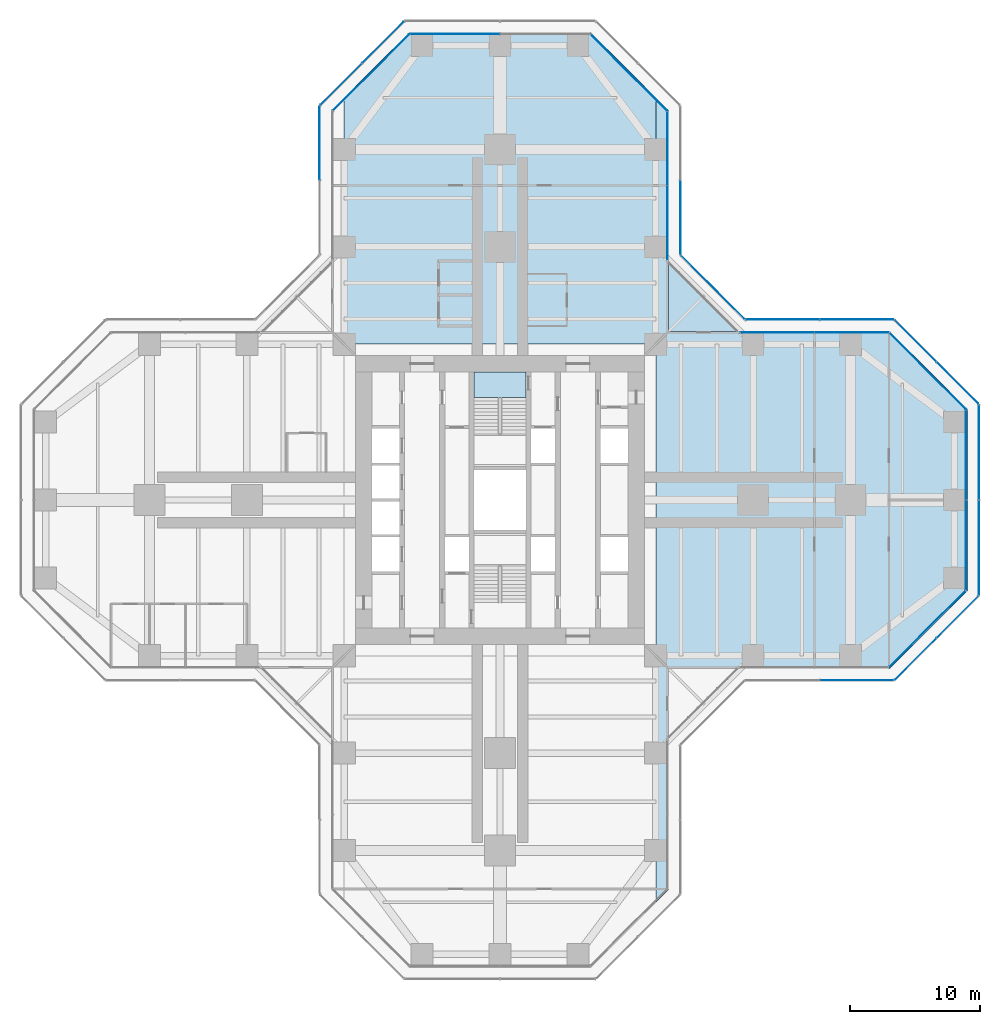
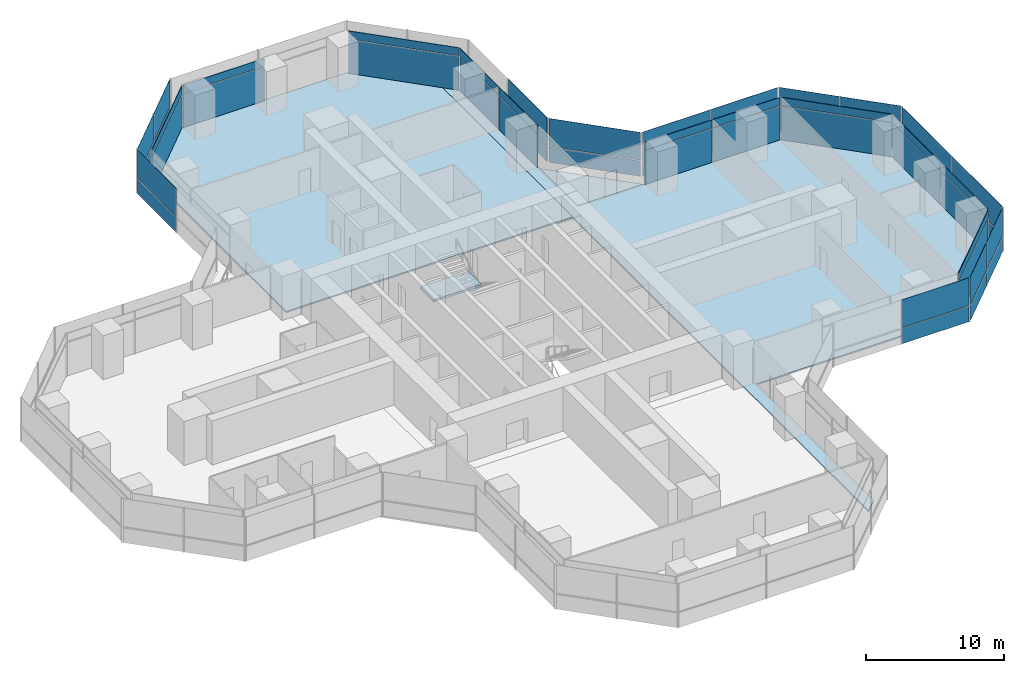
# One storey, part 16 of 22: 50 plates, 4 slabs, 18 elements without a shape of their own.
"""IFC4 building model written with IfcOpenShell, lengths in metres."""

from ifc_helpers import new_model, si_unit, direction, frame, origin, origin_2d, place, context, subcontext, project, spatial, polyline, rectangle, outline, extrude, material, layer, layer_set, type_object, element, aggregate, save


model = new_model("IFC4")

# Units and contexts
model_context = context("Model", 3, precision=1e-05, world=origin(), true_north=direction((0.0, 1.0)))
body_context = subcontext(model_context, "Body", "Model", "MODEL_VIEW")
ifc_project = project(units=[si_unit("LENGTHUNIT", "METRE"), si_unit("AREAUNIT", "SQUARE_METRE"), si_unit("VOLUMEUNIT", "CUBIC_METRE"), si_unit("PLANEANGLEUNIT", "RADIAN"), si_unit("MASSUNIT", "GRAM", prefix="KILO")], contexts=[model_context])

# Site, building, storey
site_placement = place(None, origin())
site = spatial("IfcSite", under=ifc_project, at=site_placement, CompositionType="ELEMENT")
building_placement = place(site_placement, origin())
building = spatial("IfcBuilding", under=site, at=building_placement, Name="Mizan Broadcast Tower", CompositionType="ELEMENT")
storey_placement = place(building_placement, frame((0.0, 0.0, 66.89990234375)))
storey = spatial("IfcBuildingStorey", under=building, at=storey_placement, Name="L13", CompositionType="ELEMENT", Elevation=66.89990234375)

# Slabs
ifc_material_1 = material(Name="Concrete C32/40", Category="concrete")
ifc_layer_1 = layer(ifc_material_1, 0.1298828125)
ifc_layer_set_1 = layer_set([ifc_layer_1], Name="Concrete C32/40")
slab_type_1 = type_object("IfcSlabType", Name="COMPOSITE DECK SLAB 130", PredefinedType="FLOOR", material=ifc_layer_set_1)
slab_1_placement = place(storey_placement, frame((0.0, 0.0, -0.1298828125)))
element("IfcSlab", 1, at=slab_1_placement, inside=storey, type_object=slab_type_1, Name="Floor slab L13 east arm", PredefinedType="FLOOR", context=body_context, shape_type="SweptSolid", body=[
    extrude(outline(polyline([(12.0, -31.0), (13.0, -30.0), (13.0, -13.0), (30.0, -13.0), (36.0, -7.0), (36.0, 7.0), (30.0, 13.0), (13.0, 13.0), (13.0, 30.0), (12.0, 31.0), (12.0, -31.0)])), origin(), (0.0, 0.0, 1.0), 0.1298828125),
])
slab_2_placement = place(storey_placement, frame((0.0, 0.0, -0.1298828125)))
element("IfcSlab", 2, at=slab_2_placement, inside=storey, type_object=slab_type_1, Name="Floor slab L13 north arm", PredefinedType="FLOOR", context=body_context, shape_type="SweptSolid", body=[
    extrude(outline(polyline([(-7.0, 36.0), (-12.0, 31.0), (-12.0, 12.0), (12.0, 12.0), (12.0, 31.0), (7.0, 36.0), (-7.0, 36.0)])), origin(), (0.0, 0.0, 1.0), 0.1298828125),
])

# Curtain wall, plate
ifc_material_2 = material(Name="Aluminium framed glazing", Category="aluminium")
curtain_wall_type_1 = type_object("IfcCurtainWallType", Name="INNER SKIN LOW ZONE", PredefinedType="USERDEFINED", material=ifc_material_2)
curtain_wall_1_placement = place(storey_placement, origin())
curtain_wall_1 = element("IfcCurtainWall", 3, at=curtain_wall_1_placement, inside=storey, type_object=curtain_wall_type_1, Name="Inner skin low zone L13 E chamfer", ObjectType="INNER SKIN LOW ZONE", PredefinedType="USERDEFINED")
ifc_material_3 = material(Name="Double glazing, clear low-e", Category="glass")
ifc_layer_2 = layer(ifc_material_3, 0.028076171875)
ifc_layer_set_2 = layer_set([ifc_layer_2], Name="Double glazing, clear low-e")
plate_type_1 = type_object("IfcPlateType", Name="INNER SKIN GLAZING UNIT", PredefinedType="CURTAIN_PANEL", material=ifc_layer_set_2)
plate_1_placement = place(storey_placement, frame((32.92919921875, -9.92919921875, 0.0), z_axis=(0.0, 0.0, 1.0), x_axis=(0.707106781187, 0.707106781187, 0.0)))
plate_1 = element("IfcPlate", 4, at=plate_1_placement, type_object=plate_type_1, Name="Inner skin low zone L13 E chamfer panel 1.1", PredefinedType="CURTAIN_PANEL", context=body_context, shape_type="SweptSolid", body=[
    extrude(rectangle(XDim=8.282470703125, YDim=0.028076171875, at=origin_2d()), origin(), (0.0, 0.0, 1.0), 3.0),
])

# Curtain wall, plates
curtain_wall_2_placement = place(storey_placement, origin())
curtain_wall_2 = element("IfcCurtainWall", 5, at=curtain_wall_2_placement, inside=storey, type_object=curtain_wall_type_1, Name="Inner skin low zone L13 E end", ObjectType="INNER SKIN LOW ZONE", PredefinedType="USERDEFINED")
plate_2_placement = place(storey_placement, frame((35.89990234375, -3.46435546875, 0.0), z_axis=(0.0, 0.0, 1.0), x_axis=(0.0, 1.0, 0.0)))
plate_2 = element("IfcPlate", 6, at=plate_2_placement, type_object=plate_type_1, Name="Inner skin low zone L13 E end panel 1.1", PredefinedType="CURTAIN_PANEL", context=body_context, shape_type="SweptSolid", body=[
    extrude(rectangle(XDim=6.86865234375, YDim=0.028076171875, at=origin_2d()), origin(), (0.0, 0.0, 1.0), 3.0),
])
plate_3_placement = place(storey_placement, frame((35.89990234375, 3.46435546875, 0.0), z_axis=(0.0, 0.0, 1.0), x_axis=(0.0, 1.0, 0.0)))
plate_3 = element("IfcPlate", 7, at=plate_3_placement, type_object=plate_type_1, Name="Inner skin low zone L13 E end panel 2.1", PredefinedType="CURTAIN_PANEL", context=body_context, shape_type="SweptSolid", body=[
    extrude(rectangle(XDim=6.86865234375, YDim=0.028076171875, at=origin_2d()), origin(), (0.0, 0.0, 1.0), 3.0),
])

# Curtain wall, plate
curtain_wall_3_placement = place(storey_placement, origin())
curtain_wall_3 = element("IfcCurtainWall", 8, at=curtain_wall_3_placement, inside=storey, type_object=curtain_wall_type_1, Name="Inner skin low zone L13 E chamfer", ObjectType="INNER SKIN LOW ZONE", PredefinedType="USERDEFINED")
plate_4_placement = place(storey_placement, frame((32.92919921875, 9.92919921875, 0.0), z_axis=(0.0, 0.0, 1.0), x_axis=(-0.707106781187, 0.707106781187, 0.0)))
plate_4 = element("IfcPlate", 9, at=plate_4_placement, type_object=plate_type_1, Name="Inner skin low zone L13 E chamfer panel 1.1", PredefinedType="CURTAIN_PANEL", context=body_context, shape_type="SweptSolid", body=[
    extrude(rectangle(XDim=8.282470703125, YDim=0.028076171875, at=origin_2d()), origin(), (0.0, 0.0, 1.0), 3.0),
])

# Curtain wall, plates
curtain_wall_4_placement = place(storey_placement, origin())
curtain_wall_4 = element("IfcCurtainWall", 10, at=curtain_wall_4_placement, inside=storey, type_object=curtain_wall_type_1, Name="Inner skin low zone L13 E side", ObjectType="INNER SKIN LOW ZONE", PredefinedType="USERDEFINED")
plate_5_placement = place(storey_placement, frame((27.078857421875, 12.89990234375, 0.0), z_axis=(0.0, 0.0, 1.0), x_axis=(-1.0, 0.0, 0.0)))
plate_5 = element("IfcPlate", 11, at=plate_5_placement, type_object=plate_type_1, Name="Inner skin low zone L13 E side panel 1.1", PredefinedType="CURTAIN_PANEL", context=body_context, shape_type="SweptSolid", body=[
    extrude(rectangle(XDim=5.639404296875, YDim=0.028076171875, at=origin_2d()), origin(), (0.0, 0.0, 1.0), 3.0),
])
plate_6_placement = place(storey_placement, frame((21.379638671875, 12.89990234375, 0.0), z_axis=(0.0, 0.0, 1.0), x_axis=(-1.0, 0.0, 0.0)))
plate_6 = element("IfcPlate", 12, at=plate_6_placement, type_object=plate_type_1, Name="Inner skin low zone L13 E side panel 2.1", PredefinedType="CURTAIN_PANEL", context=body_context, shape_type="SweptSolid", body=[
    extrude(rectangle(XDim=5.639404296875, YDim=0.028076171875, at=origin_2d()), origin(), (0.0, 0.0, 1.0), 3.0),
])

curtain_wall_5_placement = place(storey_placement, origin())
curtain_wall_5 = element("IfcCurtainWall", 13, at=curtain_wall_5_placement, inside=storey, type_object=curtain_wall_type_1, Name="Inner skin low zone L13 N side", ObjectType="INNER SKIN LOW ZONE", PredefinedType="USERDEFINED")
plate_7_placement = place(storey_placement, frame((12.89990234375, 21.379638671875, 0.0), z_axis=(0.0, 0.0, 1.0), x_axis=(0.0, 1.0, 0.0)))
plate_7 = element("IfcPlate", 14, at=plate_7_placement, type_object=plate_type_1, Name="Inner skin low zone L13 N side panel 1.1", PredefinedType="CURTAIN_PANEL", context=body_context, shape_type="SweptSolid", body=[
    extrude(rectangle(XDim=5.639404296875, YDim=0.028076171875, at=origin_2d()), origin(), (0.0, 0.0, 1.0), 3.0),
])
plate_8_placement = place(storey_placement, frame((12.89990234375, 27.078857421875, 0.0), z_axis=(0.0, 0.0, 1.0), x_axis=(0.0, 1.0, 0.0)))
plate_8 = element("IfcPlate", 15, at=plate_8_placement, type_object=plate_type_1, Name="Inner skin low zone L13 N side panel 2.1", PredefinedType="CURTAIN_PANEL", context=body_context, shape_type="SweptSolid", body=[
    extrude(rectangle(XDim=5.639404296875, YDim=0.028076171875, at=origin_2d()), origin(), (0.0, 0.0, 1.0), 3.0),
])

# Curtain wall, plate
curtain_wall_6_placement = place(storey_placement, origin())
curtain_wall_6 = element("IfcCurtainWall", 16, at=curtain_wall_6_placement, inside=storey, type_object=curtain_wall_type_1, Name="Inner skin low zone L13 N chamfer", ObjectType="INNER SKIN LOW ZONE", PredefinedType="USERDEFINED")
plate_9_placement = place(storey_placement, frame((9.92919921875, 32.92919921875, 0.0), z_axis=(0.0, 0.0, 1.0), x_axis=(-0.707106781187, 0.707106781187, 0.0)))
plate_9 = element("IfcPlate", 17, at=plate_9_placement, type_object=plate_type_1, Name="Inner skin low zone L13 N chamfer panel 1.1", PredefinedType="CURTAIN_PANEL", context=body_context, shape_type="SweptSolid", body=[
    extrude(rectangle(XDim=8.282470703125, YDim=0.028076171875, at=origin_2d()), origin(), (0.0, 0.0, 1.0), 3.0),
])

curtain_wall_7_placement = place(storey_placement, origin())
curtain_wall_7 = element("IfcCurtainWall", 18, at=curtain_wall_7_placement, inside=storey, type_object=curtain_wall_type_1, Name="Inner skin low zone L13 N end", ObjectType="INNER SKIN LOW ZONE", PredefinedType="USERDEFINED")
plate_10_placement = place(storey_placement, frame((-3.46435546875, 35.89990234375, 0.0), z_axis=(0.0, 0.0, 1.0), x_axis=(-1.0, 0.0, 0.0)))
plate_10 = element("IfcPlate", 19, at=plate_10_placement, type_object=plate_type_1, Name="Inner skin low zone L13 N end panel 2.1", PredefinedType="CURTAIN_PANEL", context=body_context, shape_type="SweptSolid", body=[
    extrude(rectangle(XDim=6.86865234375, YDim=0.028076171875, at=origin_2d()), origin(), (0.0, 0.0, 1.0), 3.0),
])

curtain_wall_8_placement = place(storey_placement, origin())
curtain_wall_8 = element("IfcCurtainWall", 20, at=curtain_wall_8_placement, inside=storey, type_object=curtain_wall_type_1, Name="Inner skin low zone L13 N chamfer", ObjectType="INNER SKIN LOW ZONE", PredefinedType="USERDEFINED")
plate_11_placement = place(storey_placement, frame((-9.92919921875, 32.92919921875, 0.0), z_axis=(0.0, 0.0, 1.0), x_axis=(-0.707106781187, -0.707106781187, 0.0)))
plate_11 = element("IfcPlate", 21, at=plate_11_placement, type_object=plate_type_1, Name="Inner skin low zone L13 N chamfer panel 1.1", PredefinedType="CURTAIN_PANEL", context=body_context, shape_type="SweptSolid", body=[
    extrude(rectangle(XDim=8.282470703125, YDim=0.028076171875, at=origin_2d()), origin(), (0.0, 0.0, 1.0), 3.0),
])

# Plate
ifc_material_4 = material(Name="Insulated aluminium spandrel panel, pale anodised", Category="aluminium")
ifc_layer_3 = layer(ifc_material_4, 0.050048828125)
ifc_layer_set_3 = layer_set([ifc_layer_3], Name="Insulated aluminium spandrel panel, pale anodised")
plate_type_2 = type_object("IfcPlateType", Name="INNER SKIN SPANDREL PANEL", PredefinedType="CURTAIN_PANEL", material=ifc_layer_set_3)
plate_12_placement = place(storey_placement, frame((32.92919921875, -9.92919921875, 3.06005859375), z_axis=(0.0, 0.0, 1.0), x_axis=(0.707106781187, 0.707106781187, 0.0)))
plate_12 = element("IfcPlate", 22, at=plate_12_placement, type_object=plate_type_2, Name="Inner skin low zone L13 E chamfer panel 1.2", PredefinedType="CURTAIN_PANEL", context=body_context, shape_type="SweptSolid", body=[
    extrude(rectangle(XDim=8.282470703125, YDim=0.050048828125, at=origin_2d()), origin(), (0.0, 0.0, 1.0), 0.7099609375),
])

aggregate(curtain_wall_1, [plate_1, plate_12])

plate_13_placement = place(storey_placement, frame((35.89990234375, -3.46435546875, 3.06005859375), z_axis=(0.0, 0.0, 1.0), x_axis=(0.0, 1.0, 0.0)))
plate_13 = element("IfcPlate", 23, at=plate_13_placement, type_object=plate_type_2, Name="Inner skin low zone L13 E end panel 1.2", PredefinedType="CURTAIN_PANEL", context=body_context, shape_type="SweptSolid", body=[
    extrude(rectangle(XDim=6.86865234375, YDim=0.050048828125, at=origin_2d()), origin(), (0.0, 0.0, 1.0), 0.7099609375),
])

plate_14_placement = place(storey_placement, frame((35.89990234375, 3.46435546875, 3.06005859375), z_axis=(0.0, 0.0, 1.0), x_axis=(0.0, 1.0, 0.0)))
plate_14 = element("IfcPlate", 24, at=plate_14_placement, type_object=plate_type_2, Name="Inner skin low zone L13 E end panel 2.2", PredefinedType="CURTAIN_PANEL", context=body_context, shape_type="SweptSolid", body=[
    extrude(rectangle(XDim=6.86865234375, YDim=0.050048828125, at=origin_2d()), origin(), (0.0, 0.0, 1.0), 0.7099609375),
])

aggregate(curtain_wall_2, [plate_2, plate_13, plate_3, plate_14])

plate_15_placement = place(storey_placement, frame((32.92919921875, 9.92919921875, 3.06005859375), z_axis=(0.0, 0.0, 1.0), x_axis=(-0.707106781187, 0.707106781187, 0.0)))
plate_15 = element("IfcPlate", 25, at=plate_15_placement, type_object=plate_type_2, Name="Inner skin low zone L13 E chamfer panel 1.2", PredefinedType="CURTAIN_PANEL", context=body_context, shape_type="SweptSolid", body=[
    extrude(rectangle(XDim=8.282470703125, YDim=0.050048828125, at=origin_2d()), origin(), (0.0, 0.0, 1.0), 0.7099609375),
])

aggregate(curtain_wall_3, [plate_4, plate_15])

plate_16_placement = place(storey_placement, frame((27.078857421875, 12.89990234375, 3.06005859375), z_axis=(0.0, 0.0, 1.0), x_axis=(-1.0, 0.0, 0.0)))
plate_16 = element("IfcPlate", 26, at=plate_16_placement, type_object=plate_type_2, Name="Inner skin low zone L13 E side panel 1.2", PredefinedType="CURTAIN_PANEL", context=body_context, shape_type="SweptSolid", body=[
    extrude(rectangle(XDim=5.639404296875, YDim=0.050048828125, at=origin_2d()), origin(), (0.0, 0.0, 1.0), 0.7099609375),
])

plate_17_placement = place(storey_placement, frame((21.379638671875, 12.89990234375, 3.06005859375), z_axis=(0.0, 0.0, 1.0), x_axis=(-1.0, 0.0, 0.0)))
plate_17 = element("IfcPlate", 27, at=plate_17_placement, type_object=plate_type_2, Name="Inner skin low zone L13 E side panel 2.2", PredefinedType="CURTAIN_PANEL", context=body_context, shape_type="SweptSolid", body=[
    extrude(rectangle(XDim=5.639404296875, YDim=0.050048828125, at=origin_2d()), origin(), (0.0, 0.0, 1.0), 0.7099609375),
])

aggregate(curtain_wall_4, [plate_5, plate_16, plate_6, plate_17])

plate_18_placement = place(storey_placement, frame((12.89990234375, 21.379638671875, 3.06005859375), z_axis=(0.0, 0.0, 1.0), x_axis=(0.0, 1.0, 0.0)))
plate_18 = element("IfcPlate", 28, at=plate_18_placement, type_object=plate_type_2, Name="Inner skin low zone L13 N side panel 1.2", PredefinedType="CURTAIN_PANEL", context=body_context, shape_type="SweptSolid", body=[
    extrude(rectangle(XDim=5.639404296875, YDim=0.050048828125, at=origin_2d()), origin(), (0.0, 0.0, 1.0), 0.7099609375),
])

plate_19_placement = place(storey_placement, frame((12.89990234375, 27.078857421875, 3.06005859375), z_axis=(0.0, 0.0, 1.0), x_axis=(0.0, 1.0, 0.0)))
plate_19 = element("IfcPlate", 29, at=plate_19_placement, type_object=plate_type_2, Name="Inner skin low zone L13 N side panel 2.2", PredefinedType="CURTAIN_PANEL", context=body_context, shape_type="SweptSolid", body=[
    extrude(rectangle(XDim=5.639404296875, YDim=0.050048828125, at=origin_2d()), origin(), (0.0, 0.0, 1.0), 0.7099609375),
])

aggregate(curtain_wall_5, [plate_7, plate_18, plate_8, plate_19])

plate_20_placement = place(storey_placement, frame((9.92919921875, 32.92919921875, 3.06005859375), z_axis=(0.0, 0.0, 1.0), x_axis=(-0.707106781187, 0.707106781187, 0.0)))
plate_20 = element("IfcPlate", 30, at=plate_20_placement, type_object=plate_type_2, Name="Inner skin low zone L13 N chamfer panel 1.2", PredefinedType="CURTAIN_PANEL", context=body_context, shape_type="SweptSolid", body=[
    extrude(rectangle(XDim=8.282470703125, YDim=0.050048828125, at=origin_2d()), origin(), (0.0, 0.0, 1.0), 0.7099609375),
])

aggregate(curtain_wall_6, [plate_9, plate_20])

plate_21_placement = place(storey_placement, frame((-3.46435546875, 35.89990234375, 3.06005859375), z_axis=(0.0, 0.0, 1.0), x_axis=(-1.0, 0.0, 0.0)))
plate_21 = element("IfcPlate", 31, at=plate_21_placement, type_object=plate_type_2, Name="Inner skin low zone L13 N end panel 2.2", PredefinedType="CURTAIN_PANEL", context=body_context, shape_type="SweptSolid", body=[
    extrude(rectangle(XDim=6.86865234375, YDim=0.050048828125, at=origin_2d()), origin(), (0.0, 0.0, 1.0), 0.7099609375),
])

aggregate(curtain_wall_7, [plate_10, plate_21])

plate_22_placement = place(storey_placement, frame((-9.92919921875, 32.92919921875, 3.06005859375), z_axis=(0.0, 0.0, 1.0), x_axis=(-0.707106781187, -0.707106781187, 0.0)))
plate_22 = element("IfcPlate", 32, at=plate_22_placement, type_object=plate_type_2, Name="Inner skin low zone L13 N chamfer panel 1.2", PredefinedType="CURTAIN_PANEL", context=body_context, shape_type="SweptSolid", body=[
    extrude(rectangle(XDim=8.282470703125, YDim=0.050048828125, at=origin_2d()), origin(), (0.0, 0.0, 1.0), 0.7099609375),
])

aggregate(curtain_wall_8, [plate_11, plate_22])

# Curtain wall, plates
ifc_material_5 = material(Name="Aluminium framed glazing", Category="aluminium")
curtain_wall_type_2 = type_object("IfcCurtainWallType", Name="OUTER SKIN", PredefinedType="USERDEFINED", material=ifc_material_5)
curtain_wall_9_placement = place(storey_placement, origin())
curtain_wall_9 = element("IfcCurtainWall", 33, at=curtain_wall_9_placement, inside=storey, type_object=curtain_wall_type_2, Name="Outer skin L13 E chamfer", ObjectType="OUTER SKIN", PredefinedType="USERDEFINED")
ifc_material_6 = material(Name="Laminated clear glass", Category="glass")
ifc_layer_4 = layer(ifc_material_6, 0.02001953125)
ifc_layer_set_4 = layer_set([ifc_layer_4], Name="Laminated clear glass")
plate_type_3 = type_object("IfcPlateType", Name="OUTER SKIN CLEAR GLASS", PredefinedType="CURTAIN_PANEL", material=ifc_layer_set_4)
plate_23_placement = place(storey_placement, frame((32.018798828125, -12.254150390625, 0.0), z_axis=(0.0, 0.0, 1.0), x_axis=(0.707106781187, 0.707106781187, 0.0)))
plate_23 = element("IfcPlate", 34, at=plate_23_placement, type_object=plate_type_3, Name="Outer skin L13 E chamfer panel 1.1", PredefinedType="CURTAIN_PANEL", context=body_context, shape_type="SweptSolid", body=[
    extrude(rectangle(XDim=4.495361328125, YDim=0.02001953125, at=origin_2d()), origin(), (0.0, 0.0, 1.0), 1.3701171875),
])
plate_24_placement = place(storey_placement, frame((32.018798828125, -12.254150390625, 1.43017578125), z_axis=(0.0, 0.0, 1.0), x_axis=(0.707106781187, 0.707106781187, 0.0)))
plate_24 = element("IfcPlate", 35, at=plate_24_placement, type_object=plate_type_3, Name="Outer skin L13 E chamfer panel 1.2", PredefinedType="CURTAIN_PANEL", context=body_context, shape_type="SweptSolid", body=[
    extrude(rectangle(XDim=4.495361328125, YDim=0.02001953125, at=origin_2d()), origin(), (0.0, 0.0, 1.0), 2.469970703125),
])

curtain_wall_10_placement = place(storey_placement, origin())
curtain_wall_10 = element("IfcCurtainWall", 36, at=curtain_wall_10_placement, inside=storey, type_object=curtain_wall_type_2, Name="Outer skin L13 E end", ObjectType="OUTER SKIN", PredefinedType="USERDEFINED")
plate_25_placement = place(storey_placement, frame((36.89990234375, -3.66650390625, 0.0), z_axis=(0.0, 0.0, 1.0), x_axis=(0.0, 1.0, 0.0)))
plate_25 = element("IfcPlate", 37, at=plate_25_placement, type_object=plate_type_3, Name="Outer skin L13 E end panel 1.1", PredefinedType="CURTAIN_PANEL", context=body_context, shape_type="SweptSolid", body=[
    extrude(rectangle(XDim=7.252685546875, YDim=0.02001953125, at=origin_2d()), origin(), (0.0, 0.0, 1.0), 1.3701171875),
])
plate_26_placement = place(storey_placement, frame((36.89990234375, -3.66650390625, 1.43017578125), z_axis=(0.0, 0.0, 1.0), x_axis=(0.0, 1.0, 0.0)))
plate_26 = element("IfcPlate", 38, at=plate_26_placement, type_object=plate_type_3, Name="Outer skin L13 E end panel 1.2", PredefinedType="CURTAIN_PANEL", context=body_context, shape_type="SweptSolid", body=[
    extrude(rectangle(XDim=7.252685546875, YDim=0.02001953125, at=origin_2d()), origin(), (0.0, 0.0, 1.0), 2.469970703125),
])

curtain_wall_11_placement = place(storey_placement, origin())
curtain_wall_11 = element("IfcCurtainWall", 39, at=curtain_wall_11_placement, inside=storey, type_object=curtain_wall_type_2, Name="Outer skin L13 E chamfer", ObjectType="OUTER SKIN", PredefinedType="USERDEFINED")
plate_27_placement = place(storey_placement, frame((35.254150390625, 9.018798828125, 0.0), z_axis=(0.0, 0.0, 1.0), x_axis=(-0.707106781187, 0.707106781187, 0.0)))
plate_27 = element("IfcPlate", 40, at=plate_27_placement, type_object=plate_type_3, Name="Outer skin L13 E chamfer panel 1.1", PredefinedType="CURTAIN_PANEL", context=body_context, shape_type="SweptSolid", body=[
    extrude(rectangle(XDim=4.495361328125, YDim=0.02001953125, at=origin_2d()), origin(), (0.0, 0.0, 1.0), 1.3701171875),
])
plate_28_placement = place(storey_placement, frame((35.254150390625, 9.018798828125, 1.43017578125), z_axis=(0.0, 0.0, 1.0), x_axis=(-0.707106781187, 0.707106781187, 0.0)))
plate_28 = element("IfcPlate", 41, at=plate_28_placement, type_object=plate_type_3, Name="Outer skin L13 E chamfer panel 1.2", PredefinedType="CURTAIN_PANEL", context=body_context, shape_type="SweptSolid", body=[
    extrude(rectangle(XDim=4.495361328125, YDim=0.02001953125, at=origin_2d()), origin(), (0.0, 0.0, 1.0), 2.469970703125),
])

curtain_wall_12_placement = place(storey_placement, origin())
curtain_wall_12 = element("IfcCurtainWall", 42, at=curtain_wall_12_placement, inside=storey, type_object=curtain_wall_type_2, Name="Outer skin L13 E side", ObjectType="OUTER SKIN", PredefinedType="USERDEFINED")
plate_29_placement = place(storey_placement, frame((27.477783203125, 13.89990234375, 0.0), z_axis=(0.0, 0.0, 1.0), x_axis=(-1.0, 0.0, 0.0)))
plate_29 = element("IfcPlate", 43, at=plate_29_placement, type_object=plate_type_3, Name="Outer skin L13 E side panel 1.1", PredefinedType="CURTAIN_PANEL", context=body_context, shape_type="SweptSolid", body=[
    extrude(rectangle(XDim=5.6298828125, YDim=0.02001953125, at=origin_2d()), origin(), (0.0, 0.0, 1.0), 1.3701171875),
])
plate_30_placement = place(storey_placement, frame((27.477783203125, 13.89990234375, 1.43017578125), z_axis=(0.0, 0.0, 1.0), x_axis=(-1.0, 0.0, 0.0)))
plate_30 = element("IfcPlate", 44, at=plate_30_placement, type_object=plate_type_3, Name="Outer skin L13 E side panel 1.2", PredefinedType="CURTAIN_PANEL", context=body_context, shape_type="SweptSolid", body=[
    extrude(rectangle(XDim=5.6298828125, YDim=0.02001953125, at=origin_2d()), origin(), (0.0, 0.0, 1.0), 2.469970703125),
])
plate_31_placement = place(storey_placement, frame((21.767822265625, 13.89990234375, 0.0), z_axis=(0.0, 0.0, 1.0), x_axis=(-1.0, 0.0, 0.0)))
plate_31 = element("IfcPlate", 45, at=plate_31_placement, type_object=plate_type_3, Name="Outer skin L13 E side panel 2.1", PredefinedType="CURTAIN_PANEL", context=body_context, shape_type="SweptSolid", body=[
    extrude(rectangle(XDim=5.6298828125, YDim=0.02001953125, at=origin_2d()), origin(), (0.0, 0.0, 1.0), 1.3701171875),
])
plate_32_placement = place(storey_placement, frame((21.767822265625, 13.89990234375, 1.43017578125), z_axis=(0.0, 0.0, 1.0), x_axis=(-1.0, 0.0, 0.0)))
plate_32 = element("IfcPlate", 46, at=plate_32_placement, type_object=plate_type_3, Name="Outer skin L13 E side panel 2.2", PredefinedType="CURTAIN_PANEL", context=body_context, shape_type="SweptSolid", body=[
    extrude(rectangle(XDim=5.6298828125, YDim=0.02001953125, at=origin_2d()), origin(), (0.0, 0.0, 1.0), 2.469970703125),
])
aggregate(curtain_wall_12, [plate_29, plate_30, plate_31, plate_32])

curtain_wall_13_placement = place(storey_placement, origin())
curtain_wall_13 = element("IfcCurtainWall", 47, at=curtain_wall_13_placement, inside=storey, type_object=curtain_wall_type_2, Name="Outer skin L13 E chamfer", ObjectType="OUTER SKIN", PredefinedType="USERDEFINED")
plate_33_placement = place(storey_placement, frame((16.386474609375, 16.386474609375, 0.0), z_axis=(0.0, 0.0, 1.0), x_axis=(-0.707106781187, 0.707106781187, 0.0)))
plate_33 = element("IfcPlate", 48, at=plate_33_placement, type_object=plate_type_3, Name="Outer skin L13 E chamfer panel 1.1", PredefinedType="CURTAIN_PANEL", context=body_context, shape_type="SweptSolid", body=[
    extrude(rectangle(XDim=6.87255859375, YDim=0.02001953125, at=origin_2d()), origin(), (0.0, 0.0, 1.0), 1.3701171875),
])
plate_34_placement = place(storey_placement, frame((16.386474609375, 16.386474609375, 1.43017578125), z_axis=(0.0, 0.0, 1.0), x_axis=(-0.707106781187, 0.707106781187, 0.0)))
plate_34 = element("IfcPlate", 49, at=plate_34_placement, type_object=plate_type_3, Name="Outer skin L13 E chamfer panel 1.2", PredefinedType="CURTAIN_PANEL", context=body_context, shape_type="SweptSolid", body=[
    extrude(rectangle(XDim=6.87255859375, YDim=0.02001953125, at=origin_2d()), origin(), (0.0, 0.0, 1.0), 2.469970703125),
])
aggregate(curtain_wall_13, [plate_33, plate_34])

curtain_wall_14_placement = place(storey_placement, origin())
curtain_wall_14 = element("IfcCurtainWall", 50, at=curtain_wall_14_placement, inside=storey, type_object=curtain_wall_type_2, Name="Outer skin L13 N side", ObjectType="OUTER SKIN", PredefinedType="USERDEFINED")
plate_35_placement = place(storey_placement, frame((13.89990234375, 21.767822265625, 0.0), z_axis=(0.0, 0.0, 1.0), x_axis=(0.0, 1.0, 0.0)))
plate_35 = element("IfcPlate", 51, at=plate_35_placement, type_object=plate_type_3, Name="Outer skin L13 N side panel 1.1", PredefinedType="CURTAIN_PANEL", context=body_context, shape_type="SweptSolid", body=[
    extrude(rectangle(XDim=5.6298828125, YDim=0.02001953125, at=origin_2d()), origin(), (0.0, 0.0, 1.0), 1.3701171875),
])
plate_36_placement = place(storey_placement, frame((13.89990234375, 21.767822265625, 1.43017578125), z_axis=(0.0, 0.0, 1.0), x_axis=(0.0, 1.0, 0.0)))
plate_36 = element("IfcPlate", 52, at=plate_36_placement, type_object=plate_type_3, Name="Outer skin L13 N side panel 1.2", PredefinedType="CURTAIN_PANEL", context=body_context, shape_type="SweptSolid", body=[
    extrude(rectangle(XDim=5.6298828125, YDim=0.02001953125, at=origin_2d()), origin(), (0.0, 0.0, 1.0), 2.469970703125),
])
aggregate(curtain_wall_14, [plate_35, plate_36])

curtain_wall_15_placement = place(storey_placement, origin())
curtain_wall_15 = element("IfcCurtainWall", 53, at=curtain_wall_15_placement, inside=storey, type_object=curtain_wall_type_2, Name="Outer skin L13 N chamfer", ObjectType="OUTER SKIN", PredefinedType="USERDEFINED")
plate_37_placement = place(storey_placement, frame((-9.018798828125, 35.254150390625, 0.0), z_axis=(0.0, 0.0, 1.0), x_axis=(-0.707106781187, -0.707106781187, 0.0)))
plate_37 = element("IfcPlate", 54, at=plate_37_placement, type_object=plate_type_3, Name="Outer skin L13 N chamfer panel 1.1", PredefinedType="CURTAIN_PANEL", context=body_context, shape_type="SweptSolid", body=[
    extrude(rectangle(XDim=4.495361328125, YDim=0.02001953125, at=origin_2d()), origin(), (0.0, 0.0, 1.0), 1.3701171875),
])
plate_38_placement = place(storey_placement, frame((-9.018798828125, 35.254150390625, 1.43017578125), z_axis=(0.0, 0.0, 1.0), x_axis=(-0.707106781187, -0.707106781187, 0.0)))
plate_38 = element("IfcPlate", 55, at=plate_38_placement, type_object=plate_type_3, Name="Outer skin L13 N chamfer panel 1.2", PredefinedType="CURTAIN_PANEL", context=body_context, shape_type="SweptSolid", body=[
    extrude(rectangle(XDim=4.495361328125, YDim=0.02001953125, at=origin_2d()), origin(), (0.0, 0.0, 1.0), 2.469970703125),
])

curtain_wall_16_placement = place(storey_placement, origin())
curtain_wall_16 = element("IfcCurtainWall", 56, at=curtain_wall_16_placement, inside=storey, type_object=curtain_wall_type_2, Name="Outer skin L13 N side", ObjectType="OUTER SKIN", PredefinedType="USERDEFINED")
plate_39_placement = place(storey_placement, frame((-13.89990234375, 27.477783203125, 0.0), z_axis=(0.0, 0.0, 1.0), x_axis=(0.0, -1.0, 0.0)))
plate_39 = element("IfcPlate", 57, at=plate_39_placement, type_object=plate_type_3, Name="Outer skin L13 N side panel 1.1", PredefinedType="CURTAIN_PANEL", context=body_context, shape_type="SweptSolid", body=[
    extrude(rectangle(XDim=5.6298828125, YDim=0.02001953125, at=origin_2d()), origin(), (0.0, 0.0, 1.0), 1.3701171875),
])
plate_40_placement = place(storey_placement, frame((-13.89990234375, 27.477783203125, 1.43017578125), z_axis=(0.0, 0.0, 1.0), x_axis=(0.0, -1.0, 0.0)))
plate_40 = element("IfcPlate", 58, at=plate_40_placement, type_object=plate_type_3, Name="Outer skin L13 N side panel 1.2", PredefinedType="CURTAIN_PANEL", context=body_context, shape_type="SweptSolid", body=[
    extrude(rectangle(XDim=5.6298828125, YDim=0.02001953125, at=origin_2d()), origin(), (0.0, 0.0, 1.0), 2.469970703125),
])
aggregate(curtain_wall_16, [plate_39, plate_40])

# Plate
ifc_material_7 = material(Name="Perforated aluminium, pale anodised", Category="aluminium")
ifc_layer_5 = layer(ifc_material_7, 0.011962890625)
ifc_layer_set_5 = layer_set([ifc_layer_5], Name="Perforated aluminium, pale anodised")
plate_type_4 = type_object("IfcPlateType", Name="OUTER SKIN PERFORATED SCREEN", PredefinedType="USERDEFINED", material=ifc_layer_set_5)
plate_41_placement = place(storey_placement, frame((35.254150390625, -9.018798828125, 0.0), z_axis=(0.0, 0.0, 1.0), x_axis=(0.707106781187, 0.707106781187, 0.0)))
plate_41 = element("IfcPlate", 59, at=plate_41_placement, type_object=plate_type_4, Name="Outer skin L13 E chamfer panel 2.1", ObjectType="SCREEN", PredefinedType="USERDEFINED", context=body_context, shape_type="SweptSolid", body=[
    extrude(rectangle(XDim=4.495361328125, YDim=0.011962890625, at=origin_2d()), origin(), (0.0, 0.0, 1.0), 1.3701171875),
])

plate_42_placement = place(storey_placement, frame((35.254150390625, -9.018798828125, 1.43017578125), z_axis=(0.0, 0.0, 1.0), x_axis=(0.707106781187, 0.707106781187, 0.0)))
plate_42 = element("IfcPlate", 60, at=plate_42_placement, type_object=plate_type_4, Name="Outer skin L13 E chamfer panel 2.2", ObjectType="SCREEN", PredefinedType="USERDEFINED", context=body_context, shape_type="SweptSolid", body=[
    extrude(rectangle(XDim=4.495361328125, YDim=0.011962890625, at=origin_2d()), origin(), (0.0, 0.0, 1.0), 2.469970703125),
])

aggregate(curtain_wall_9, [plate_23, plate_24, plate_41, plate_42])

plate_43_placement = place(storey_placement, frame((36.89990234375, 3.66650390625, 0.0), z_axis=(0.0, 0.0, 1.0), x_axis=(0.0, 1.0, 0.0)))
plate_43 = element("IfcPlate", 61, at=plate_43_placement, type_object=plate_type_4, Name="Outer skin L13 E end panel 2.1", ObjectType="SCREEN", PredefinedType="USERDEFINED", context=body_context, shape_type="SweptSolid", body=[
    extrude(rectangle(XDim=7.252685546875, YDim=0.011962890625, at=origin_2d()), origin(), (0.0, 0.0, 1.0), 1.3701171875),
])

plate_44_placement = place(storey_placement, frame((36.89990234375, 3.66650390625, 1.43017578125), z_axis=(0.0, 0.0, 1.0), x_axis=(0.0, 1.0, 0.0)))
plate_44 = element("IfcPlate", 62, at=plate_44_placement, type_object=plate_type_4, Name="Outer skin L13 E end panel 2.2", ObjectType="SCREEN", PredefinedType="USERDEFINED", context=body_context, shape_type="SweptSolid", body=[
    extrude(rectangle(XDim=7.252685546875, YDim=0.011962890625, at=origin_2d()), origin(), (0.0, 0.0, 1.0), 2.469970703125),
])

aggregate(curtain_wall_10, [plate_25, plate_26, plate_43, plate_44])

plate_45_placement = place(storey_placement, frame((32.018798828125, 12.254150390625, 0.0), z_axis=(0.0, 0.0, 1.0), x_axis=(-0.707106781187, 0.707106781187, 0.0)))
plate_45 = element("IfcPlate", 63, at=plate_45_placement, type_object=plate_type_4, Name="Outer skin L13 E chamfer panel 2.1", ObjectType="SCREEN", PredefinedType="USERDEFINED", context=body_context, shape_type="SweptSolid", body=[
    extrude(rectangle(XDim=4.495361328125, YDim=0.011962890625, at=origin_2d()), origin(), (0.0, 0.0, 1.0), 1.3701171875),
])

plate_46_placement = place(storey_placement, frame((32.018798828125, 12.254150390625, 1.43017578125), z_axis=(0.0, 0.0, 1.0), x_axis=(-0.707106781187, 0.707106781187, 0.0)))
plate_46 = element("IfcPlate", 64, at=plate_46_placement, type_object=plate_type_4, Name="Outer skin L13 E chamfer panel 2.2", ObjectType="SCREEN", PredefinedType="USERDEFINED", context=body_context, shape_type="SweptSolid", body=[
    extrude(rectangle(XDim=4.495361328125, YDim=0.011962890625, at=origin_2d()), origin(), (0.0, 0.0, 1.0), 2.469970703125),
])

aggregate(curtain_wall_11, [plate_27, plate_28, plate_45, plate_46])

plate_47_placement = place(storey_placement, frame((-12.254150390625, 32.018798828125, 0.0), z_axis=(0.0, 0.0, 1.0), x_axis=(-0.707106781187, -0.707106781187, 0.0)))
plate_47 = element("IfcPlate", 65, at=plate_47_placement, type_object=plate_type_4, Name="Outer skin L13 N chamfer panel 2.1", ObjectType="SCREEN", PredefinedType="USERDEFINED", context=body_context, shape_type="SweptSolid", body=[
    extrude(rectangle(XDim=4.495361328125, YDim=0.011962890625, at=origin_2d()), origin(), (0.0, 0.0, 1.0), 1.3701171875),
])

plate_48_placement = place(storey_placement, frame((-12.254150390625, 32.018798828125, 1.43017578125), z_axis=(0.0, 0.0, 1.0), x_axis=(-0.707106781187, -0.707106781187, 0.0)))
plate_48 = element("IfcPlate", 66, at=plate_48_placement, type_object=plate_type_4, Name="Outer skin L13 N chamfer panel 2.2", ObjectType="SCREEN", PredefinedType="USERDEFINED", context=body_context, shape_type="SweptSolid", body=[
    extrude(rectangle(XDim=4.495361328125, YDim=0.011962890625, at=origin_2d()), origin(), (0.0, 0.0, 1.0), 2.469970703125),
])

aggregate(curtain_wall_15, [plate_37, plate_38, plate_47, plate_48])

# Curtain wall, plates
curtain_wall_17_placement = place(storey_placement, origin())
curtain_wall_17 = element("IfcCurtainWall", 67, at=curtain_wall_17_placement, inside=storey, type_object=curtain_wall_type_2, Name="Outer skin L13 E side", ObjectType="OUTER SKIN", PredefinedType="USERDEFINED")
plate_49_placement = place(storey_placement, frame((27.477783203125, -13.89990234375, 0.0), z_axis=(0.0, 0.0, 1.0), x_axis=(1.0, 0.0, 0.0)))
plate_49 = element("IfcPlate", 68, at=plate_49_placement, type_object=plate_type_4, Name="Outer skin L13 E side panel 2.1", ObjectType="SCREEN", PredefinedType="USERDEFINED", context=body_context, shape_type="SweptSolid", body=[
    extrude(rectangle(XDim=5.6298828125, YDim=0.011962890625, at=origin_2d()), origin(), (0.0, 0.0, 1.0), 1.3701171875),
])
plate_50_placement = place(storey_placement, frame((27.477783203125, -13.89990234375, 1.43017578125), z_axis=(0.0, 0.0, 1.0), x_axis=(1.0, 0.0, 0.0)))
plate_50 = element("IfcPlate", 69, at=plate_50_placement, type_object=plate_type_4, Name="Outer skin L13 E side panel 2.2", ObjectType="SCREEN", PredefinedType="USERDEFINED", context=body_context, shape_type="SweptSolid", body=[
    extrude(rectangle(XDim=5.6298828125, YDim=0.011962890625, at=origin_2d()), origin(), (0.0, 0.0, 1.0), 2.469970703125),
])
aggregate(curtain_wall_17, [plate_49, plate_50])

# Stair, slab
ifc_material_8 = material(Name="Concrete C40/50", Category="concrete")
stair_type = type_object("IfcStairType", Name="EXIT STAIR", PredefinedType="HALF_TURN_STAIR", material=ifc_material_8)
stair_placement = place(storey_placement, origin())
stair = element("IfcStair", 70, at=stair_placement, inside=storey, type_object=stair_type, Name="Stair B L13", PredefinedType="HALF_TURN_STAIR")
ifc_material_9 = material(Name="Concrete C40/50", Category="concrete")
ifc_layer_6 = layer(ifc_material_9, 0.199951171875)
ifc_layer_set_6 = layer_set([ifc_layer_6], Name="Concrete C40/50")
slab_type_2 = type_object("IfcSlabType", Name="STAIR LANDING 200", PredefinedType="LANDING", material=ifc_layer_set_6)
slab_3_placement = place(storey_placement, frame((0.0, 0.0, -0.199951171875)))
slab_3 = element("IfcSlab", 71, at=slab_3_placement, type_object=slab_type_2, Name="B landing 1", PredefinedType="LANDING", context=body_context, shape_type="SweptSolid", body=[
    extrude(outline(polyline([(2.0, 9.85009765625), (2.0, 7.89990234375), (-2.0, 7.89990234375), (-2.0, 9.85009765625), (2.0, 9.85009765625)])), origin(), (0.0, 0.0, 1.0), 0.199951171875),
])
aggregate(stair, [slab_3])

# Slab
ifc_material_10 = material(Name="Concrete C32/40", Category="concrete")
ifc_layer_7 = layer(ifc_material_10, 0.1298828125)
ifc_layer_set_7 = layer_set([ifc_layer_7], Name="Concrete C32/40")
slab_type_3 = type_object("IfcSlabType", Name="WINTER GARDEN SLAB 130", PredefinedType="FLOOR", material=ifc_layer_set_7)
slab_4_placement = place(storey_placement, frame((0.0, 0.0, -0.1298828125)))
element("IfcSlab", 72, at=slab_4_placement, inside=storey, type_object=slab_type_3, Name="Winter garden slab L13 E", PredefinedType="FLOOR", context=body_context, shape_type="SweptSolid", body=[
    extrude(outline(polyline([(13.0, 13.0), (18.5, 13.0), (13.0, 18.5), (13.0, 13.0)])), origin(), (0.0, 0.0, 1.0), 0.1298828125),
])

save(model, "model.ifc")
